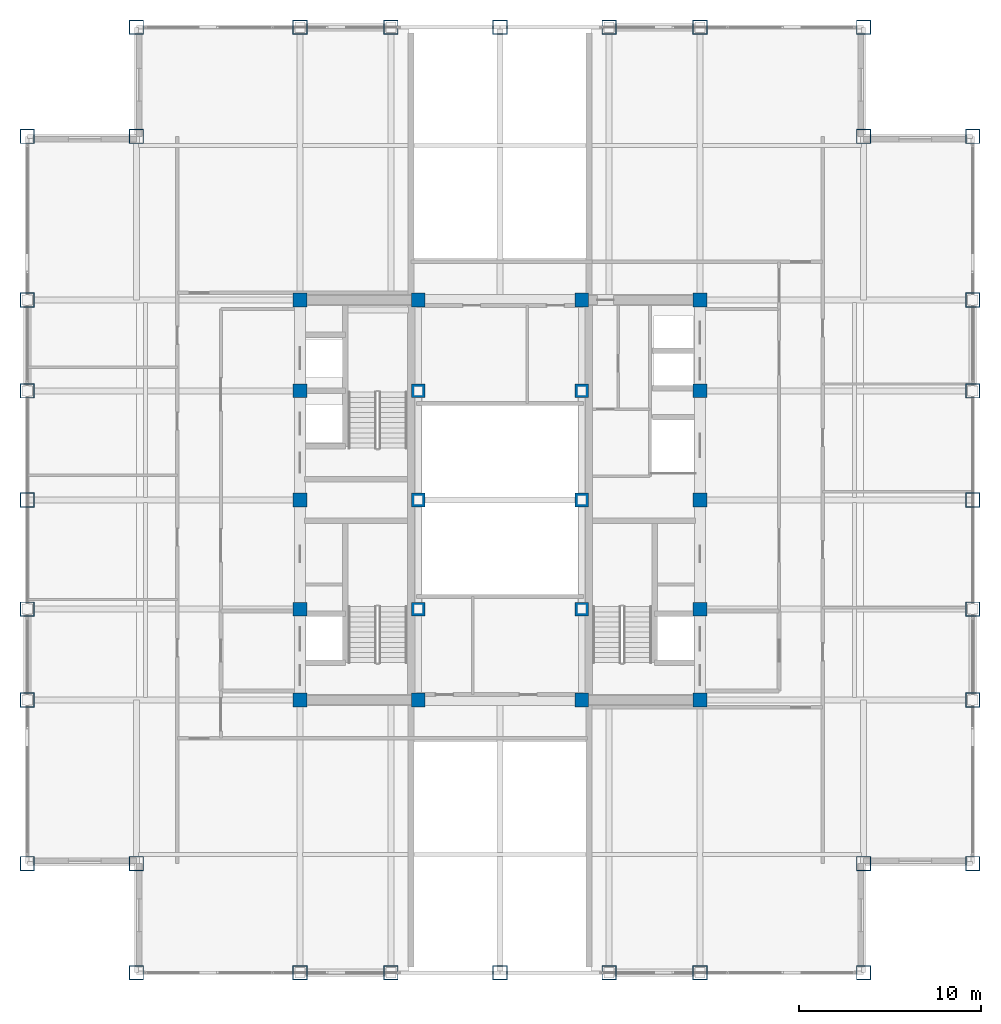
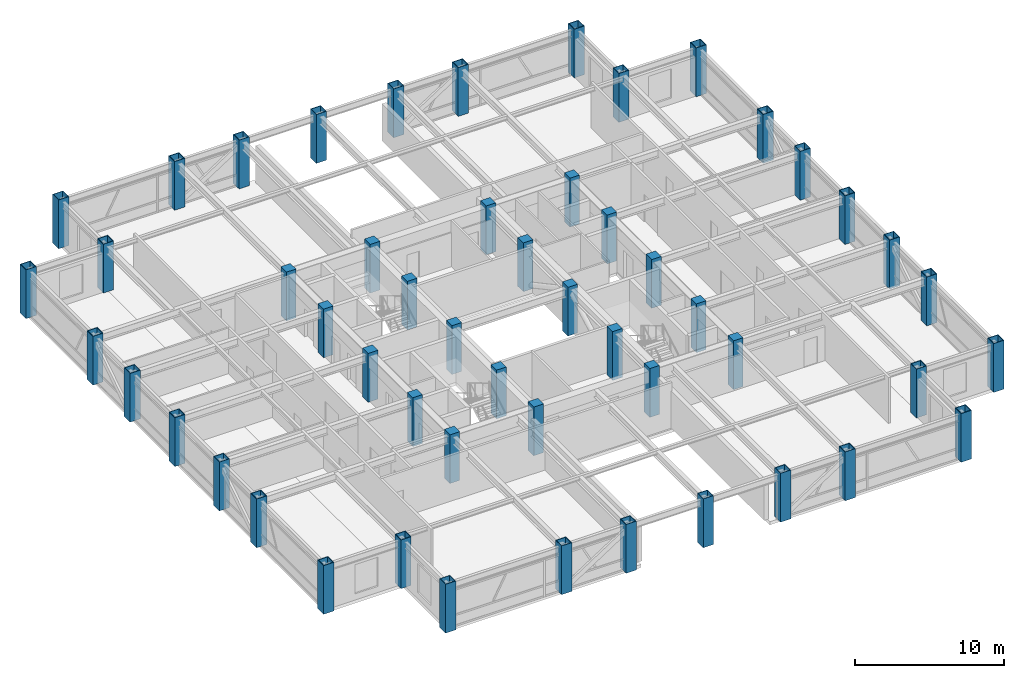
# One storey, part 1 of 29: 52 columns.
"""IFC4 building model written with IfcOpenShell, lengths in metres."""

from ifc_helpers import new_model, si_unit, direction, frame, origin, origin_2d, place, context, subcontext, project, spatial, rectangle, hollow_rectangle, extrude, source, transform, mapped, material, material_profile, profile_set, type_object, element, save


model = new_model("IFC4")

# Units and contexts
model_context = context("Model", 3, precision=1e-05, world=origin(), true_north=direction((0.0, 1.0)))
body_context = subcontext(model_context, "Body", "Model", "MODEL_VIEW")
ifc_project = project(units=[si_unit("LENGTHUNIT", "METRE"), si_unit("AREAUNIT", "SQUARE_METRE"), si_unit("VOLUMEUNIT", "CUBIC_METRE"), si_unit("PLANEANGLEUNIT", "RADIAN"), si_unit("MASSUNIT", "GRAM", prefix="KILO")], contexts=[model_context])

# Site, building, storey
site_placement = place(None, origin())
site = spatial("IfcSite", under=ifc_project, at=site_placement, CompositionType="ELEMENT")
building_placement = place(site_placement, origin())
building = spatial("IfcBuilding", under=site, at=building_placement, Name="Khorayat Bourse Tower", CompositionType="ELEMENT")
storey_placement = place(building_placement, frame((0.0, 0.0, 354.300048828125)))
storey = spatial("IfcBuildingStorey", under=building, at=storey_placement, Name="L84", CompositionType="ELEMENT", Elevation=354.300048828125)

# Columns
ifc_material_1 = material(Name="Concrete C52/65", Category="concrete")
ifc_material_profile_1 = material_profile(ifc_material_1, rectangle(XDim=0.75, YDim=0.75, at=origin_2d()), Name="RC 750x750")
ifc_profile_set_1 = profile_set([ifc_material_profile_1], Name="Concrete C52/65")
column_type_1 = type_object("IfcColumnType", Name="COL-CORE-750", PredefinedType="COLUMN", material=ifc_profile_set_1)
shared_shape_1 = source(origin(), body_context, "Body", "SweptSolid", [
    extrude(rectangle(XDim=0.75, YDim=0.75, at=origin_2d()), origin(), (0.0, 0.0, 1.0), 4.0),
])
for number, where, z_axis, x_axis, name in (
    (1, (-11.0, -11.0, 0.0), (0.0, 0.0, 1.0), (1.0, 0.0, 0.0), "L84 Column 013"),
    (2, (-11.0, -6.0, 0.0), (0.0, 0.0, 1.0), (1.0, 0.0, 0.0), "L84 Column 014"),
    (3, (-11.0, 0.0, 0.0), (0.0, 0.0, 1.0), (1.0, 0.0, 0.0), "L84 Column 015"),
    (4, (-11.0, 6.0, 0.0), (0.0, 0.0, 1.0), (1.0, 0.0, 0.0), "L84 Column 016"),
    (5, (-11.0, 11.0, 0.0), (0.0, 0.0, 1.0), (1.0, 0.0, 0.0), "L84 Column 017"),
    (6, (-4.5, -11.0, 0.0), (0.0, 0.0, 1.0), (1.0, 0.0, 0.0), "L84 Column 021"),
    (7, (-4.5, -6.0, 0.0), (0.0, 0.0, 1.0), (1.0, 0.0, 0.0), "L84 Column 022"),
    (8, (-4.5, 0.0, 0.0), (0.0, 0.0, 1.0), (1.0, 0.0, 0.0), "L84 Column 023"),
    (9, (-4.5, 6.0, 0.0), (0.0, 0.0, 1.0), (1.0, 0.0, 0.0), "L84 Column 024"),
    (10, (-4.5, 11.0, 0.0), (0.0, 0.0, 1.0), (1.0, 0.0, 0.0), "L84 Column 025"),
    (11, (4.5, -11.0, 0.0), (0.0, 0.0, 1.0), (1.0, 0.0, 0.0), "L84 Column 028"),
    (12, (4.5, -6.0, 0.0), (0.0, 0.0, 1.0), (1.0, 0.0, 0.0), "L84 Column 029"),
    (13, (4.5, 0.0, 0.0), (0.0, 0.0, 1.0), (1.0, 0.0, 0.0), "L84 Column 030"),
    (14, (4.5, 6.0, 0.0), (0.0, 0.0, 1.0), (1.0, 0.0, 0.0), "L84 Column 031"),
    (15, (4.5, 11.0, 0.0), (0.0, 0.0, 1.0), (1.0, 0.0, 0.0), "L84 Column 032"),
    (16, (11.0, -11.0, 0.0), (0.0, 0.0, 1.0), (1.0, 0.0, 0.0), "L84 Column 036"),
    (17, (11.0, -6.0, 0.0), (0.0, 0.0, 1.0), (1.0, 0.0, 0.0), "L84 Column 037"),
    (18, (11.0, 0.0, 0.0), (0.0, 0.0, 1.0), (1.0, 0.0, 0.0), "L84 Column 038"),
    (19, (11.0, 6.0, 0.0), (0.0, 0.0, 1.0), (1.0, 0.0, 0.0), "L84 Column 039"),
    (20, (11.0, 11.0, 0.0), (0.0, 0.0, 1.0), (1.0, 0.0, 0.0), "L84 Column 040"),
):
    element("IfcColumn", number, at=place(storey_placement, frame(where, z_axis=z_axis, x_axis=x_axis)), inside=storey, type_object=column_type_1, Name=name, PredefinedType="COLUMN", context=body_context, shape_type="MappedRepresentation", body=[
        mapped(shared_shape_1, transform((0.0, 0.0, 0.0), scale=1.0)),
    ])
ifc_material_2 = material(Name="Steel EN 10025-2 S355J2", Category="steel")
ifc_material_profile_2 = material_profile(ifc_material_2, hollow_rectangle(XDim=0.800048828125, YDim=0.800048828125, WallThickness=0.044921875, at=origin_2d()), Name="BOX 800x800x45")
ifc_profile_set_2 = profile_set([ifc_material_profile_2], Name="Steel EN 10025-2 S355J2")
column_type_2 = type_object("IfcColumnType", Name="COL-TUBE-800", PredefinedType="COLUMN", material=ifc_profile_set_2)
shared_shape_2 = source(origin(), body_context, "Body", "SweptSolid", [
    extrude(hollow_rectangle(XDim=0.800048828125, YDim=0.800048828125, WallThickness=0.044921875, at=origin_2d()), origin(), (0.0, 0.0, 1.0), 4.0),
])
for number, where, z_axis, x_axis, name in (
    (21, (-26.0, -20.0, 0.0), (0.0, 0.0, 1.0), (1.0, 0.0, 0.0), "L84 Column 001"),
    (22, (-26.0, -11.0, 0.0), (0.0, 0.0, 1.0), (1.0, 0.0, 0.0), "L84 Column 002"),
    (23, (-26.0, -6.0, 0.0), (0.0, 0.0, 1.0), (1.0, 0.0, 0.0), "L84 Column 003"),
    (24, (-26.0, 0.0, 0.0), (0.0, 0.0, 1.0), (1.0, 0.0, 0.0), "L84 Column 004"),
    (25, (-26.0, 6.0, 0.0), (0.0, 0.0, 1.0), (1.0, 0.0, 0.0), "L84 Column 005"),
    (26, (-26.0, 11.0, 0.0), (0.0, 0.0, 1.0), (1.0, 0.0, 0.0), "L84 Column 006"),
    (27, (-26.0, 20.0, 0.0), (0.0, 0.0, 1.0), (1.0, 0.0, 0.0), "L84 Column 007"),
    (28, (-20.0, -26.0, 0.0), (0.0, 0.0, 1.0), (1.0, 0.0, 0.0), "L84 Column 008"),
    (29, (-20.0, -20.0, 0.0), (0.0, 0.0, 1.0), (1.0, 0.0, 0.0), "L84 Column 009"),
    (30, (-20.0, 20.0, 0.0), (0.0, 0.0, 1.0), (1.0, 0.0, 0.0), "L84 Column 010"),
    (31, (-20.0, 26.0, 0.0), (0.0, 0.0, 1.0), (1.0, 0.0, 0.0), "L84 Column 011"),
    (32, (-11.0, -26.0, 0.0), (0.0, 0.0, 1.0), (1.0, 0.0, 0.0), "L84 Column 012"),
    (33, (-11.0, 26.0, 0.0), (0.0, 0.0, 1.0), (1.0, 0.0, 0.0), "L84 Column 018"),
    (34, (-6.0, -26.0, 0.0), (0.0, 0.0, 1.0), (1.0, 0.0, 0.0), "L84 Column 019"),
    (35, (-6.0, 26.0, 0.0), (0.0, 0.0, 1.0), (1.0, 0.0, 0.0), "L84 Column 020"),
    (36, (0.0, -26.0, 0.0), (0.0, 0.0, 1.0), (1.0, 0.0, 0.0), "L84 Column 026"),
    (37, (0.0, 26.0, 0.0), (0.0, 0.0, 1.0), (1.0, 0.0, 0.0), "L84 Column 027"),
    (38, (6.0, -26.0, 0.0), (0.0, 0.0, 1.0), (1.0, 0.0, 0.0), "L84 Column 033"),
    (39, (6.0, 26.0, 0.0), (0.0, 0.0, 1.0), (1.0, 0.0, 0.0), "L84 Column 034"),
    (40, (11.0, -26.0, 0.0), (0.0, 0.0, 1.0), (1.0, 0.0, 0.0), "L84 Column 035"),
    (41, (11.0, 26.0, 0.0), (0.0, 0.0, 1.0), (1.0, 0.0, 0.0), "L84 Column 041"),
    (42, (20.0, -26.0, 0.0), (0.0, 0.0, 1.0), (1.0, 0.0, 0.0), "L84 Column 042"),
    (43, (20.0, -20.0, 0.0), (0.0, 0.0, 1.0), (1.0, 0.0, 0.0), "L84 Column 043"),
    (44, (20.0, 20.0, 0.0), (0.0, 0.0, 1.0), (1.0, 0.0, 0.0), "L84 Column 044"),
    (45, (20.0, 26.0, 0.0), (0.0, 0.0, 1.0), (1.0, 0.0, 0.0), "L84 Column 045"),
    (46, (26.0, -20.0, 0.0), (0.0, 0.0, 1.0), (1.0, 0.0, 0.0), "L84 Column 046"),
    (47, (26.0, -11.0, 0.0), (0.0, 0.0, 1.0), (1.0, 0.0, 0.0), "L84 Column 047"),
    (48, (26.0, -6.0, 0.0), (0.0, 0.0, 1.0), (1.0, 0.0, 0.0), "L84 Column 048"),
    (49, (26.0, 0.0, 0.0), (0.0, 0.0, 1.0), (1.0, 0.0, 0.0), "L84 Column 049"),
    (50, (26.0, 6.0, 0.0), (0.0, 0.0, 1.0), (1.0, 0.0, 0.0), "L84 Column 050"),
    (51, (26.0, 11.0, 0.0), (0.0, 0.0, 1.0), (1.0, 0.0, 0.0), "L84 Column 051"),
    (52, (26.0, 20.0, 0.0), (0.0, 0.0, 1.0), (1.0, 0.0, 0.0), "L84 Column 052"),
):
    element("IfcColumn", number, at=place(storey_placement, frame(where, z_axis=z_axis, x_axis=x_axis)), inside=storey, type_object=column_type_2, Name=name, PredefinedType="COLUMN", context=body_context, shape_type="MappedRepresentation", body=[
        mapped(shared_shape_2, transform((0.0, 0.0, 0.0), scale=1.0)),
    ])

save(model, "model.ifc")
